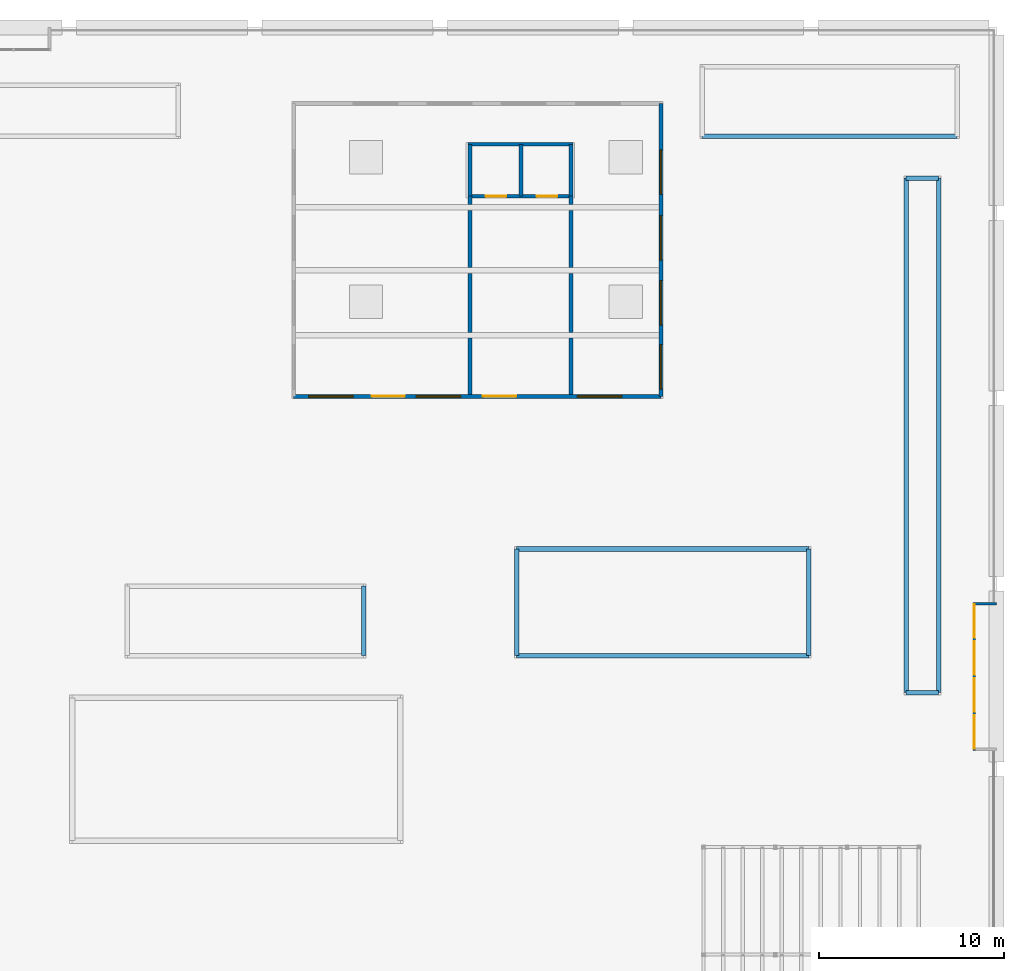
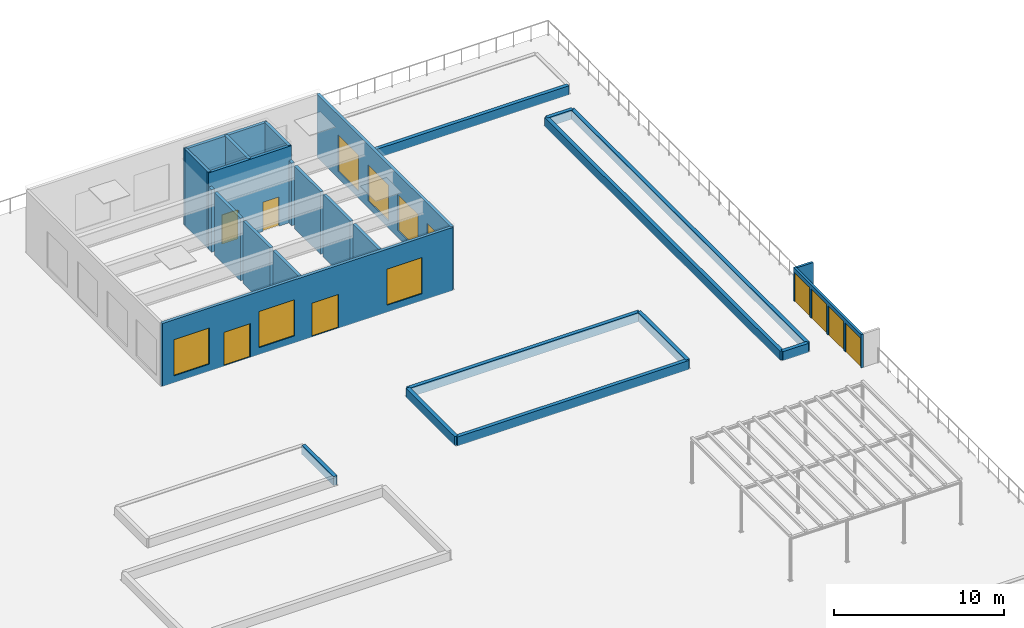
# One storey, part 19 of 28: 27 walls, 8 doors, 7 windows, 15 openings.
"""IFC4 building model written with IfcOpenShell, lengths in metres."""

from ifc_helpers import new_model, si_unit, direction, frame, frame_2d, origin, place, context, subcontext, project, spatial, rectangle, extrude, material, layer, layer_set, type_object, element, fill, save


model = new_model("IFC4")

# Units and contexts
model_context = context("Model", 3, precision=1e-05, world=origin(), true_north=direction((0.0, 1.0)))
body_context = subcontext(model_context, "Body", "Model", "MODEL_VIEW")
ifc_project = project(units=[si_unit("LENGTHUNIT", "METRE"), si_unit("AREAUNIT", "SQUARE_METRE"), si_unit("VOLUMEUNIT", "CUBIC_METRE"), si_unit("PLANEANGLEUNIT", "RADIAN"), si_unit("MASSUNIT", "GRAM", prefix="KILO")], contexts=[model_context])

# Site, building, storey
site_placement = place(None, origin())
site = spatial("IfcSite", under=ifc_project, at=site_placement, CompositionType="ELEMENT")
building_placement = place(site_placement, origin())
building = spatial("IfcBuilding", under=site, at=building_placement, Name="Qaws Garden Tower", CompositionType="ELEMENT")
storey_placement = place(building_placement, frame((0.0, 0.0, 6.0)))
storey = spatial("IfcBuildingStorey", under=building, at=storey_placement, Name="L01", CompositionType="ELEMENT", Elevation=6.0)

# Wall, openings, doors
ifc_material_1 = material(Name="Steel S355 and clear glass", Category="steel")
ifc_layer_1 = layer(ifc_material_1, 0.14990234375)
ifc_layer_set_1 = layer_set([ifc_layer_1], Name="Steel S355 and clear glass")
wall_type_1 = type_object("IfcWallType", Name="Garden gate screen 150", PredefinedType="STANDARD", material=ifc_layer_set_1)
wall_1_placement = place(storey_placement, frame((98.800048828125, 69.0, 0.0), z_axis=(0.0, 0.0, 1.0), x_axis=(0.0, -1.0, 0.0)))
wall_1 = element("IfcWall", 1, at=wall_1_placement, inside=storey, type_object=wall_type_1, Name="Garden gate screen", PredefinedType="STANDARD", context=body_context, shape_type="SweptSolid", body=[
    extrude(rectangle(XDim=8.0, YDim=0.14990234375, at=frame_2d((4.0, 0.0))), origin(), (0.0, 0.0, 1.0), 2.39990234375),
])
opening_1_placement = place(wall_1_placement, frame((0.10009765625, 0.0, 0.0)))
opening_1 = element("IfcOpeningElement", 2, at=opening_1_placement, cuts=wall_1, Name="Opening PD13-05", PredefinedType="OPENING", context=body_context, shape_type="SweptSolid", body=[
    extrude(rectangle(XDim=1.800048828125, YDim=2.10009765625, at=frame_2d((0.89990234375, 1.050048828125))), frame((0.0, 0.0849609375, 0.0), z_axis=(0.0, -1.0, 0.0), x_axis=(1.0, 0.0, 0.0)), (0.0, 0.0, 1.0), 0.169921875),
])
opening_2_placement = place(wall_1_placement, frame((2.10009765625, 0.0, 0.0)))
opening_2 = element("IfcOpeningElement", 3, at=opening_2_placement, cuts=wall_1, Name="Opening PD13-06", PredefinedType="OPENING", context=body_context, shape_type="SweptSolid", body=[
    extrude(rectangle(XDim=1.800048828125, YDim=2.10009765625, at=frame_2d((0.89990234375, 1.050048828125))), frame((0.0, 0.0849609375, 0.0), z_axis=(0.0, -1.0, 0.0), x_axis=(1.0, 0.0, 0.0)), (0.0, 0.0, 1.0), 0.169921875),
])
opening_3_placement = place(wall_1_placement, frame((4.10009765625, 0.0, 0.0)))
opening_3 = element("IfcOpeningElement", 4, at=opening_3_placement, cuts=wall_1, Name="Opening PD13-07", PredefinedType="OPENING", context=body_context, shape_type="SweptSolid", body=[
    extrude(rectangle(XDim=1.800048828125, YDim=2.10009765625, at=frame_2d((0.89990234375, 1.050048828125))), frame((0.0, 0.0849609375, 0.0), z_axis=(0.0, -1.0, 0.0), x_axis=(1.0, 0.0, 0.0)), (0.0, 0.0, 1.0), 0.169921875),
])
opening_4_placement = place(wall_1_placement, frame((6.10009765625, 0.0, 0.0)))
opening_4 = element("IfcOpeningElement", 5, at=opening_4_placement, cuts=wall_1, Name="Opening PD13-08", PredefinedType="OPENING", context=body_context, shape_type="SweptSolid", body=[
    extrude(rectangle(XDim=1.800048828125, YDim=2.10009765625, at=frame_2d((0.89990234375, 1.050048828125))), frame((0.0, 0.0849609375, 0.0), z_axis=(0.0, -1.0, 0.0), x_axis=(1.0, 0.0, 0.0)), (0.0, 0.0, 1.0), 0.169921875),
])
ifc_material_2 = material(Name="Steel S235 framed door leaf", Category="steel")
door_type_1 = type_object("IfcDoorType", Name="Door D13 garden gate 1800", OperationType="DOUBLE_DOOR_SINGLE_SWING", PredefinedType="DOOR", material=ifc_material_2)
door_1_placement = place(opening_1_placement, origin())
door_1 = element("IfcDoor", 6, at=door_1_placement, inside=storey, type_object=door_type_1, Name="Garden gate", OperationType="DOUBLE_DOOR_SINGLE_SWING", OverallHeight=2.10009765625, OverallWidth=1.800048828125, PredefinedType="DOOR", context=body_context, shape_type="SweptSolid", body=[
    extrude(rectangle(XDim=1.800048828125, YDim=2.10009765625, at=frame_2d((0.89990234375, 1.050048828125))), frame((0.0, 0.02490234375, 0.0), z_axis=(0.0, -1.0, 0.0), x_axis=(1.0, 0.0, 0.0)), (0.0, 0.0, 1.0), 0.050048828125),
])
fill(opening_1, door_1)
door_2_placement = place(opening_2_placement, origin())
door_2 = element("IfcDoor", 7, at=door_2_placement, inside=storey, type_object=door_type_1, Name="Garden gate", OperationType="DOUBLE_DOOR_SINGLE_SWING", OverallHeight=2.10009765625, OverallWidth=1.800048828125, PredefinedType="DOOR", context=body_context, shape_type="SweptSolid", body=[
    extrude(rectangle(XDim=1.800048828125, YDim=2.10009765625, at=frame_2d((0.89990234375, 1.050048828125))), frame((0.0, 0.02490234375, 0.0), z_axis=(0.0, -1.0, 0.0), x_axis=(1.0, 0.0, 0.0)), (0.0, 0.0, 1.0), 0.050048828125),
])
fill(opening_2, door_2)
door_3_placement = place(opening_3_placement, origin())
door_3 = element("IfcDoor", 8, at=door_3_placement, inside=storey, type_object=door_type_1, Name="Garden gate", OperationType="DOUBLE_DOOR_SINGLE_SWING", OverallHeight=2.10009765625, OverallWidth=1.800048828125, PredefinedType="DOOR", context=body_context, shape_type="SweptSolid", body=[
    extrude(rectangle(XDim=1.800048828125, YDim=2.10009765625, at=frame_2d((0.89990234375, 1.050048828125))), frame((0.0, 0.02490234375, 0.0), z_axis=(0.0, -1.0, 0.0), x_axis=(1.0, 0.0, 0.0)), (0.0, 0.0, 1.0), 0.050048828125),
])
fill(opening_3, door_3)
door_4_placement = place(opening_4_placement, origin())
door_4 = element("IfcDoor", 9, at=door_4_placement, inside=storey, type_object=door_type_1, Name="Garden gate", OperationType="DOUBLE_DOOR_SINGLE_SWING", OverallHeight=2.10009765625, OverallWidth=1.800048828125, PredefinedType="DOOR", context=body_context, shape_type="SweptSolid", body=[
    extrude(rectangle(XDim=1.800048828125, YDim=2.10009765625, at=frame_2d((0.89990234375, 1.050048828125))), frame((0.0, 0.02490234375, 0.0), z_axis=(0.0, -1.0, 0.0), x_axis=(1.0, 0.0, 0.0)), (0.0, 0.0, 1.0), 0.050048828125),
])
fill(opening_4, door_4)

# Wall
wall_2_placement = place(storey_placement, frame((98.875, 68.925048828125, 0.0), z_axis=(0.0, 0.0, 1.0), x_axis=(1.0, 0.0, 0.0)))
element("IfcWall", 10, at=wall_2_placement, inside=storey, type_object=wall_type_1, Name="Garden gate screen return", PredefinedType="STANDARD", context=body_context, shape_type="SweptSolid", body=[
    extrude(rectangle(XDim=1.125, YDim=0.14990234375, at=frame_2d((0.5625, 0.0))), origin(), (0.0, 0.0, 1.0), 2.39990234375),
])

# Wall, openings, doors
ifc_material_3 = material(Name="Concrete C40", Category="concrete")
ifc_layer_2 = layer(ifc_material_3, 0.199951171875)
ifc_layer_set_2 = layer_set([ifc_layer_2], Name="Concrete C40")
wall_type_2 = type_object("IfcWallType", Name="Lift shaft wall 200", PredefinedType="SOLIDWALL", material=ifc_layer_set_2)
wall_3_placement = place(storey_placement, frame((71.5, 90.89990234375, 0.0), z_axis=(0.0, 0.0, 1.0), x_axis=(1.0, 0.0, 0.0)))
wall_3 = element("IfcWall", 11, at=wall_3_placement, inside=storey, type_object=wall_type_2, Name="Lift shaft south wall", PredefinedType="SOLIDWALL", context=body_context, shape_type="SweptSolid", body=[
    extrude(rectangle(XDim=5.64990234375, YDim=0.199951171875, at=frame_2d((2.824951171875, 0.0))), origin(), (0.0, 0.0, 1.0), 5.5),
])
opening_5_placement = place(wall_3_placement, frame((0.949951171875, 0.0, 0.0)))
opening_5 = element("IfcOpeningElement", 12, at=opening_5_placement, cuts=wall_3, Name="Opening LD-01", PredefinedType="OPENING", context=body_context, shape_type="SweptSolid", body=[
    extrude(rectangle(XDim=1.10009765625, YDim=2.10009765625, at=frame_2d((0.550048828125, 1.050048828125))), frame((0.0, 0.10986328125, 0.0), z_axis=(0.0, -1.0, 0.0), x_axis=(1.0, 0.0, 0.0)), (0.0, 0.0, 1.0), 0.219970703125),
])
opening_6_placement = place(wall_3_placement, frame((3.699951171875, 0.0, 0.0)))
opening_6 = element("IfcOpeningElement", 13, at=opening_6_placement, cuts=wall_3, Name="Opening LD-02", PredefinedType="OPENING", context=body_context, shape_type="SweptSolid", body=[
    extrude(rectangle(XDim=1.10009765625, YDim=2.10009765625, at=frame_2d((0.550048828125, 1.050048828125))), frame((0.0, 0.10986328125, 0.0), z_axis=(0.0, -1.0, 0.0), x_axis=(1.0, 0.0, 0.0)), (0.0, 0.0, 1.0), 0.219970703125),
])
ifc_material_4 = material(Name="Steel S235", Category="steel")
door_type_2 = type_object("IfcDoorType", Name="Landing door 1100x2100", OperationType="DOUBLE_DOOR_SLIDING", PredefinedType="DOOR", material=ifc_material_4)
door_5_placement = place(opening_5_placement, origin())
door_5 = element("IfcDoor", 14, at=door_5_placement, inside=storey, type_object=door_type_2, Name="Lift landing door", OperationType="DOUBLE_DOOR_SLIDING", OverallHeight=2.10009765625, OverallWidth=1.10009765625, PredefinedType="DOOR", context=body_context, shape_type="SweptSolid", body=[
    extrude(rectangle(XDim=1.10009765625, YDim=2.10009765625, at=frame_2d((0.550048828125, 1.050048828125))), frame((0.0, 0.02490234375, 0.0), z_axis=(0.0, -1.0, 0.0), x_axis=(1.0, 0.0, 0.0)), (0.0, 0.0, 1.0), 0.050048828125),
])
fill(opening_5, door_5)
door_6_placement = place(opening_6_placement, origin())
door_6 = element("IfcDoor", 15, at=door_6_placement, inside=storey, type_object=door_type_2, Name="Lift landing door", OperationType="DOUBLE_DOOR_SLIDING", OverallHeight=2.10009765625, OverallWidth=1.10009765625, PredefinedType="DOOR", context=body_context, shape_type="SweptSolid", body=[
    extrude(rectangle(XDim=1.10009765625, YDim=2.10009765625, at=frame_2d((0.550048828125, 1.050048828125))), frame((0.0, 0.02490234375, 0.0), z_axis=(0.0, -1.0, 0.0), x_axis=(1.0, 0.0, 0.0)), (0.0, 0.0, 1.0), 0.050048828125),
])
fill(opening_6, door_6)

# Walls
wall_4_placement = place(storey_placement, frame((71.5, 93.699951171875, 0.0), z_axis=(0.0, 0.0, 1.0), x_axis=(1.0, 0.0, 0.0)))
element("IfcWall", 16, at=wall_4_placement, inside=storey, type_object=wall_type_2, Name="Lift shaft north wall", PredefinedType="SOLIDWALL", context=body_context, shape_type="SweptSolid", body=[
    extrude(rectangle(XDim=5.64990234375, YDim=0.199951171875, at=frame_2d((2.824951171875, 0.0))), origin(), (0.0, 0.0, 1.0), 5.5),
])
for number, where, z_axis, x_axis, name in (
    (17, (71.60009765625, 90.89990234375, 0.0), (0.0, 0.0, 1.0), (0.0, 1.0, 0.0), "Lift shaft west wall"),
    (18, (74.35009765625, 90.89990234375, 0.0), (0.0, 0.0, 1.0), (0.0, 1.0, 0.0), "Lift shaft partition"),
    (19, (77.050048828125, 90.89990234375, 0.0), (0.0, 0.0, 1.0), (0.0, 1.0, 0.0), "Lift shaft east wall"),
):
    element("IfcWall", number, at=place(storey_placement, frame(where, z_axis=z_axis, x_axis=x_axis)), inside=storey, type_object=wall_type_2, Name=name, PredefinedType="SOLIDWALL", context=body_context, shape_type="SweptSolid", body=[
        extrude(rectangle(XDim=2.800048828125, YDim=0.199951171875, at=frame_2d((1.39990234375, 0.0))), origin(), (0.0, 0.0, 1.0), 5.5),
    ])
ifc_material_5 = material(Name="Concrete C40", Category="concrete")
ifc_layer_3 = layer(ifc_material_5, 0.25)
ifc_layer_set_3 = layer_set([ifc_layer_3], Name="Concrete C40")
wall_type_3 = type_object("IfcWallType", Name="PLANTER kerb 250", PredefinedType="STANDARD", material=ifc_layer_set_3)
wall_5_placement = place(storey_placement, frame((84.125, 94.125, -0.0400390625), z_axis=(0.0, 0.0, 1.0), x_axis=(1.0, 0.0, 0.0)))
element("IfcWall", 20, at=wall_5_placement, inside=storey, type_object=wall_type_3, Name="PLANTER 02 kerb", PredefinedType="STANDARD", context=body_context, shape_type="SweptSolid", body=[
    extrude(rectangle(XDim=13.75, YDim=0.25, at=frame_2d((6.875, 0.0))), origin(), (0.0, 0.0, 1.0), 0.650146484375),
])
wall_6_placement = place(storey_placement, frame((95.125, 64.125, -0.0400390625), z_axis=(0.0, 0.0, 1.0), x_axis=(1.0, 0.0, 0.0)))
element("IfcWall", 21, at=wall_6_placement, inside=storey, type_object=wall_type_3, Name="PLANTER 03 kerb", PredefinedType="STANDARD", context=body_context, shape_type="SweptSolid", body=[
    extrude(rectangle(XDim=1.75, YDim=0.25, at=frame_2d((0.875, 0.0))), origin(), (0.0, 0.0, 1.0), 0.650146484375),
])
wall_7_placement = place(storey_placement, frame((96.875, 64.125, -0.0400390625), z_axis=(0.0, 0.0, 1.0), x_axis=(0.0, 1.0, 0.0)))
element("IfcWall", 22, at=wall_7_placement, inside=storey, type_object=wall_type_3, Name="PLANTER 03 kerb", PredefinedType="STANDARD", context=body_context, shape_type="SweptSolid", body=[
    extrude(rectangle(XDim=27.75, YDim=0.25, at=frame_2d((13.875, 0.0))), origin(), (0.0, 0.0, 1.0), 0.650146484375),
])
wall_8_placement = place(storey_placement, frame((96.875, 91.875, -0.0400390625), z_axis=(0.0, 0.0, 1.0), x_axis=(-1.0, 0.0, 0.0)))
element("IfcWall", 23, at=wall_8_placement, inside=storey, type_object=wall_type_3, Name="PLANTER 03 kerb", PredefinedType="STANDARD", context=body_context, shape_type="SweptSolid", body=[
    extrude(rectangle(XDim=1.75, YDim=0.25, at=frame_2d((0.875, 0.0))), origin(), (0.0, 0.0, 1.0), 0.650146484375),
])
wall_9_placement = place(storey_placement, frame((95.125, 91.875, -0.0400390625), z_axis=(0.0, 0.0, 1.0), x_axis=(0.0, -1.0, 0.0)))
element("IfcWall", 24, at=wall_9_placement, inside=storey, type_object=wall_type_3, Name="PLANTER 03 kerb", PredefinedType="STANDARD", context=body_context, shape_type="SweptSolid", body=[
    extrude(rectangle(XDim=27.75, YDim=0.25, at=frame_2d((13.875, 0.0))), origin(), (0.0, 0.0, 1.0), 0.650146484375),
])
wall_10_placement = place(storey_placement, frame((65.875, 66.125, -0.0400390625), z_axis=(0.0, 0.0, 1.0), x_axis=(0.0, 1.0, 0.0)))
element("IfcWall", 25, at=wall_10_placement, inside=storey, type_object=wall_type_3, Name="PLANTER 06 kerb", PredefinedType="STANDARD", context=body_context, shape_type="SweptSolid", body=[
    extrude(rectangle(XDim=3.75, YDim=0.25, at=frame_2d((1.875, 0.0))), origin(), (0.0, 0.0, 1.0), 0.650146484375),
])
wall_11_placement = place(storey_placement, frame((74.125, 66.125, -0.0400390625), z_axis=(0.0, 0.0, 1.0), x_axis=(1.0, 0.0, 0.0)))
element("IfcWall", 26, at=wall_11_placement, inside=storey, type_object=wall_type_3, Name="PLANTER 07 kerb", PredefinedType="STANDARD", context=body_context, shape_type="SweptSolid", body=[
    extrude(rectangle(XDim=15.75, YDim=0.25, at=frame_2d((7.875, 0.0))), origin(), (0.0, 0.0, 1.0), 0.650146484375),
])
wall_12_placement = place(storey_placement, frame((89.875, 66.125, -0.0400390625), z_axis=(0.0, 0.0, 1.0), x_axis=(0.0, 1.0, 0.0)))
element("IfcWall", 27, at=wall_12_placement, inside=storey, type_object=wall_type_3, Name="PLANTER 07 kerb", PredefinedType="STANDARD", context=body_context, shape_type="SweptSolid", body=[
    extrude(rectangle(XDim=5.75, YDim=0.25, at=frame_2d((2.875, 0.0))), origin(), (0.0, 0.0, 1.0), 0.650146484375),
])
wall_13_placement = place(storey_placement, frame((89.875, 71.875, -0.0400390625), z_axis=(0.0, 0.0, 1.0), x_axis=(-1.0, 0.0, 0.0)))
element("IfcWall", 28, at=wall_13_placement, inside=storey, type_object=wall_type_3, Name="PLANTER 07 kerb", PredefinedType="STANDARD", context=body_context, shape_type="SweptSolid", body=[
    extrude(rectangle(XDim=15.75, YDim=0.25, at=frame_2d((7.875, 0.0))), origin(), (0.0, 0.0, 1.0), 0.650146484375),
])
wall_14_placement = place(storey_placement, frame((74.125, 71.875, -0.0400390625), z_axis=(0.0, 0.0, 1.0), x_axis=(0.0, -1.0, 0.0)))
element("IfcWall", 29, at=wall_14_placement, inside=storey, type_object=wall_type_3, Name="PLANTER 07 kerb", PredefinedType="STANDARD", context=body_context, shape_type="SweptSolid", body=[
    extrude(rectangle(XDim=5.75, YDim=0.25, at=frame_2d((2.875, 0.0))), origin(), (0.0, 0.0, 1.0), 0.650146484375),
])

# Wall, openings, doors, windows
ifc_material_6 = material(Name="Blockwork reinforced with steel S355", Category="masonry")
ifc_layer_4 = layer(ifc_material_6, 0.199951171875)
ifc_layer_set_4 = layer_set([ifc_layer_4], Name="Blockwork reinforced with steel S355")
wall_type_4 = type_object("IfcWallType", Name="Pavilion wall 200", PredefinedType="STANDARD", material=ifc_layer_set_4)
wall_15_placement = place(storey_placement, frame((62.10009765625, 80.10009765625, -0.0400390625), z_axis=(0.0, 0.0, 1.0), x_axis=(1.0, 0.0, 0.0)))
wall_15 = element("IfcWall", 30, at=wall_15_placement, inside=storey, type_object=wall_type_4, Name="Garden pavilion wall S", PredefinedType="STANDARD", context=body_context, shape_type="SweptSolid", body=[
    extrude(rectangle(XDim=19.7998046875, YDim=0.199951171875, at=frame_2d((9.89990234375, 0.0))), origin(), (0.0, 0.0, 1.0), 4.5400390625),
])
opening_7_placement = place(wall_15_placement, frame((0.800048828125, 0.0, 0.5)))
opening_7 = element("IfcOpeningElement", 31, at=opening_7_placement, cuts=wall_15, Name="Opening PW-S3", PredefinedType="OPENING", context=body_context, shape_type="SweptSolid", body=[
    extrude(rectangle(XDim=2.39990234375, YDim=2.60009765625, at=frame_2d((1.199951171875, 1.300048828125))), frame((0.0, 0.10986328125, 0.0), z_axis=(0.0, -1.0, 0.0), x_axis=(1.0, 0.0, 0.0)), (0.0, 0.0, 1.0), 0.219970703125),
])
opening_8_placement = place(wall_15_placement, frame((4.199951171875, 0.0, 0.0400390625)))
opening_8 = element("IfcOpeningElement", 32, at=opening_8_placement, cuts=wall_15, Name="Opening PD8-01", PredefinedType="OPENING", context=body_context, shape_type="SweptSolid", body=[
    extrude(rectangle(XDim=1.800048828125, YDim=2.39990234375, at=frame_2d((0.89990234375, 1.199951171875))), frame((0.0, 0.10986328125, 0.0), z_axis=(0.0, -1.0, 0.0), x_axis=(1.0, 0.0, 0.0)), (0.0, 0.0, 1.0), 0.219970703125),
])
opening_9_placement = place(wall_15_placement, frame((6.60009765625, 0.0, 0.5)))
opening_9 = element("IfcOpeningElement", 33, at=opening_9_placement, cuts=wall_15, Name="Opening PW-S3", PredefinedType="OPENING", context=body_context, shape_type="SweptSolid", body=[
    extrude(rectangle(XDim=2.39990234375, YDim=2.60009765625, at=frame_2d((1.199951171875, 1.300048828125))), frame((0.0, 0.10986328125, 0.0), z_axis=(0.0, -1.0, 0.0), x_axis=(1.0, 0.0, 0.0)), (0.0, 0.0, 1.0), 0.219970703125),
])
opening_10_placement = place(wall_15_placement, frame((10.199951171875, 0.0, 0.0400390625)))
opening_10 = element("IfcOpeningElement", 34, at=opening_10_placement, cuts=wall_15, Name="Opening PD8-02", PredefinedType="OPENING", context=body_context, shape_type="SweptSolid", body=[
    extrude(rectangle(XDim=1.800048828125, YDim=2.39990234375, at=frame_2d((0.89990234375, 1.199951171875))), frame((0.0, 0.10986328125, 0.0), z_axis=(0.0, -1.0, 0.0), x_axis=(1.0, 0.0, 0.0)), (0.0, 0.0, 1.0), 0.219970703125),
])
opening_11_placement = place(wall_15_placement, frame((15.300048828125, 0.0, 0.5)))
opening_11 = element("IfcOpeningElement", 35, at=opening_11_placement, cuts=wall_15, Name="Opening PW-S3", PredefinedType="OPENING", context=body_context, shape_type="SweptSolid", body=[
    extrude(rectangle(XDim=2.39990234375, YDim=2.60009765625, at=frame_2d((1.199951171875, 1.300048828125))), frame((0.0, 0.10986328125, 0.0), z_axis=(0.0, -1.0, 0.0), x_axis=(1.0, 0.0, 0.0)), (0.0, 0.0, 1.0), 0.219970703125),
])
ifc_material_7 = material(Name="Steel S235 framed door leaf", Category="steel")
door_type_3 = type_object("IfcDoorType", Name="Door D8 pavilion glazed 1800", OperationType="DOUBLE_DOOR_SINGLE_SWING", PredefinedType="DOOR", material=ifc_material_7)
door_7_placement = place(opening_8_placement, frame((1.800048828125, 0.0, 0.0), z_axis=(0.0, 0.0, 1.0), x_axis=(-1.0, 0.0, 0.0)))
door_7 = element("IfcDoor", 36, at=door_7_placement, inside=storey, type_object=door_type_3, Name="Pavilion entrance door", OperationType="DOUBLE_DOOR_SINGLE_SWING", OverallHeight=2.39990234375, OverallWidth=1.800048828125, PredefinedType="DOOR", context=body_context, shape_type="SweptSolid", body=[
    extrude(rectangle(XDim=1.800048828125, YDim=2.39990234375, at=frame_2d((0.89990234375, 1.199951171875))), frame((0.0, 0.02490234375, 0.0), z_axis=(0.0, -1.0, 0.0), x_axis=(1.0, 0.0, 0.0)), (0.0, 0.0, 1.0), 0.050048828125),
])
fill(opening_8, door_7)
door_8_placement = place(opening_10_placement, frame((1.800048828125, 0.0, 0.0), z_axis=(0.0, 0.0, 1.0), x_axis=(-1.0, 0.0, 0.0)))
door_8 = element("IfcDoor", 37, at=door_8_placement, inside=storey, type_object=door_type_3, Name="Pavilion entrance door", OperationType="DOUBLE_DOOR_SINGLE_SWING", OverallHeight=2.39990234375, OverallWidth=1.800048828125, PredefinedType="DOOR", context=body_context, shape_type="SweptSolid", body=[
    extrude(rectangle(XDim=1.800048828125, YDim=2.39990234375, at=frame_2d((0.89990234375, 1.199951171875))), frame((0.0, 0.02490234375, 0.0), z_axis=(0.0, -1.0, 0.0), x_axis=(1.0, 0.0, 0.0)), (0.0, 0.0, 1.0), 0.050048828125),
])
fill(opening_10, door_8)
ifc_material_8 = material(Name="Aluminium and clear glass", Category="aluminium")
window_type = type_object("IfcWindowType", Name="Pavilion window 2400", PartitioningType="DOUBLE_PANEL_VERTICAL", PredefinedType="WINDOW", material=ifc_material_8)
window_1_placement = place(opening_7_placement, origin())
window_1 = element("IfcWindow", 38, at=window_1_placement, inside=storey, type_object=window_type, Name="Pavilion window", OverallHeight=2.60009765625, OverallWidth=2.39990234375, PartitioningType="SINGLE_PANEL", PredefinedType="WINDOW", context=body_context, shape_type="SweptSolid", body=[
    extrude(rectangle(XDim=2.39990234375, YDim=2.60009765625, at=frame_2d((1.199951171875, 1.300048828125))), frame((0.0, 0.030029296875, 0.0), z_axis=(0.0, -1.0, 0.0), x_axis=(1.0, 0.0, 0.0)), (0.0, 0.0, 1.0), 0.06005859375),
])
fill(opening_7, window_1)
window_2_placement = place(opening_9_placement, origin())
window_2 = element("IfcWindow", 39, at=window_2_placement, inside=storey, type_object=window_type, Name="Pavilion window", OverallHeight=2.60009765625, OverallWidth=2.39990234375, PartitioningType="SINGLE_PANEL", PredefinedType="WINDOW", context=body_context, shape_type="SweptSolid", body=[
    extrude(rectangle(XDim=2.39990234375, YDim=2.60009765625, at=frame_2d((1.199951171875, 1.300048828125))), frame((0.0, 0.030029296875, 0.0), z_axis=(0.0, -1.0, 0.0), x_axis=(1.0, 0.0, 0.0)), (0.0, 0.0, 1.0), 0.06005859375),
])
fill(opening_9, window_2)
window_3_placement = place(opening_11_placement, origin())
window_3 = element("IfcWindow", 40, at=window_3_placement, inside=storey, type_object=window_type, Name="Pavilion window", OverallHeight=2.60009765625, OverallWidth=2.39990234375, PartitioningType="SINGLE_PANEL", PredefinedType="WINDOW", context=body_context, shape_type="SweptSolid", body=[
    extrude(rectangle(XDim=2.39990234375, YDim=2.60009765625, at=frame_2d((1.199951171875, 1.300048828125))), frame((0.0, 0.030029296875, 0.0), z_axis=(0.0, -1.0, 0.0), x_axis=(1.0, 0.0, 0.0)), (0.0, 0.0, 1.0), 0.06005859375),
])
fill(opening_11, window_3)

# Wall, openings, windows
wall_16_placement = place(storey_placement, frame((81.89990234375, 80.10009765625, -0.0400390625), z_axis=(0.0, 0.0, 1.0), x_axis=(0.0, 1.0, 0.0)))
wall_16 = element("IfcWall", 41, at=wall_16_placement, inside=storey, type_object=wall_type_4, Name="Garden pavilion wall E", PredefinedType="STANDARD", context=body_context, shape_type="SweptSolid", body=[
    extrude(rectangle(XDim=15.7998046875, YDim=0.199951171875, at=frame_2d((7.89990234375, 0.0))), origin(), (0.0, 0.0, 1.0), 4.5400390625),
])
opening_12_placement = place(wall_16_placement, frame((0.39990234375, 0.0, 0.5)))
opening_12 = element("IfcOpeningElement", 42, at=opening_12_placement, cuts=wall_16, Name="Opening PW-S3", PredefinedType="OPENING", context=body_context, shape_type="SweptSolid", body=[
    extrude(rectangle(XDim=2.39990234375, YDim=2.60009765625, at=frame_2d((1.199951171875, 1.300048828125))), frame((0.0, 0.10986328125, 0.0), z_axis=(0.0, -1.0, 0.0), x_axis=(1.0, 0.0, 0.0)), (0.0, 0.0, 1.0), 0.219970703125),
])
opening_13_placement = place(wall_16_placement, frame((3.85009765625, 0.0, 0.5)))
opening_13 = element("IfcOpeningElement", 43, at=opening_13_placement, cuts=wall_16, Name="Opening PW-S3", PredefinedType="OPENING", context=body_context, shape_type="SweptSolid", body=[
    extrude(rectangle(XDim=2.39990234375, YDim=2.60009765625, at=frame_2d((1.199951171875, 1.300048828125))), frame((0.0, 0.10986328125, 0.0), z_axis=(0.0, -1.0, 0.0), x_axis=(1.0, 0.0, 0.0)), (0.0, 0.0, 1.0), 0.219970703125),
])
opening_14_placement = place(wall_16_placement, frame((7.35009765625, 0.0, 0.5)))
opening_14 = element("IfcOpeningElement", 44, at=opening_14_placement, cuts=wall_16, Name="Opening PW-S3", PredefinedType="OPENING", context=body_context, shape_type="SweptSolid", body=[
    extrude(rectangle(XDim=2.39990234375, YDim=2.60009765625, at=frame_2d((1.199951171875, 1.300048828125))), frame((0.0, 0.10986328125, 0.0), z_axis=(0.0, -1.0, 0.0), x_axis=(1.0, 0.0, 0.0)), (0.0, 0.0, 1.0), 0.219970703125),
])
opening_15_placement = place(wall_16_placement, frame((10.89990234375, 0.0, 0.5)))
opening_15 = element("IfcOpeningElement", 45, at=opening_15_placement, cuts=wall_16, Name="Opening PW-S3", PredefinedType="OPENING", context=body_context, shape_type="SweptSolid", body=[
    extrude(rectangle(XDim=2.39990234375, YDim=2.60009765625, at=frame_2d((1.199951171875, 1.300048828125))), frame((0.0, 0.10986328125, 0.0), z_axis=(0.0, -1.0, 0.0), x_axis=(1.0, 0.0, 0.0)), (0.0, 0.0, 1.0), 0.219970703125),
])
window_4_placement = place(opening_12_placement, origin())
window_4 = element("IfcWindow", 46, at=window_4_placement, inside=storey, type_object=window_type, Name="Pavilion window", OverallHeight=2.60009765625, OverallWidth=2.39990234375, PartitioningType="SINGLE_PANEL", PredefinedType="WINDOW", context=body_context, shape_type="SweptSolid", body=[
    extrude(rectangle(XDim=2.39990234375, YDim=2.60009765625, at=frame_2d((1.199951171875, 1.300048828125))), frame((0.0, 0.030029296875, 0.0), z_axis=(0.0, -1.0, 0.0), x_axis=(1.0, 0.0, 0.0)), (0.0, 0.0, 1.0), 0.06005859375),
])
fill(opening_12, window_4)
window_5_placement = place(opening_13_placement, origin())
window_5 = element("IfcWindow", 47, at=window_5_placement, inside=storey, type_object=window_type, Name="Pavilion window", OverallHeight=2.60009765625, OverallWidth=2.39990234375, PartitioningType="SINGLE_PANEL", PredefinedType="WINDOW", context=body_context, shape_type="SweptSolid", body=[
    extrude(rectangle(XDim=2.39990234375, YDim=2.60009765625, at=frame_2d((1.199951171875, 1.300048828125))), frame((0.0, 0.030029296875, 0.0), z_axis=(0.0, -1.0, 0.0), x_axis=(1.0, 0.0, 0.0)), (0.0, 0.0, 1.0), 0.06005859375),
])
fill(opening_13, window_5)
window_6_placement = place(opening_14_placement, origin())
window_6 = element("IfcWindow", 48, at=window_6_placement, inside=storey, type_object=window_type, Name="Pavilion window", OverallHeight=2.60009765625, OverallWidth=2.39990234375, PartitioningType="SINGLE_PANEL", PredefinedType="WINDOW", context=body_context, shape_type="SweptSolid", body=[
    extrude(rectangle(XDim=2.39990234375, YDim=2.60009765625, at=frame_2d((1.199951171875, 1.300048828125))), frame((0.0, 0.030029296875, 0.0), z_axis=(0.0, -1.0, 0.0), x_axis=(1.0, 0.0, 0.0)), (0.0, 0.0, 1.0), 0.06005859375),
])
fill(opening_14, window_6)
window_7_placement = place(opening_15_placement, origin())
window_7 = element("IfcWindow", 49, at=window_7_placement, inside=storey, type_object=window_type, Name="Pavilion window", OverallHeight=2.60009765625, OverallWidth=2.39990234375, PartitioningType="SINGLE_PANEL", PredefinedType="WINDOW", context=body_context, shape_type="SweptSolid", body=[
    extrude(rectangle(XDim=2.39990234375, YDim=2.60009765625, at=frame_2d((1.199951171875, 1.300048828125))), frame((0.0, 0.030029296875, 0.0), z_axis=(0.0, -1.0, 0.0), x_axis=(1.0, 0.0, 0.0)), (0.0, 0.0, 1.0), 0.06005859375),
])
fill(opening_15, window_7)

# Walls
ifc_material_9 = material(Name="Blockwork", Category="masonry")
ifc_layer_5 = layer(ifc_material_9, 0.199951171875)
ifc_layer_set_5 = layer_set([ifc_layer_5], Name="Blockwork")
wall_type_5 = type_object("IfcWallType", Name="Plant room wall 200", PredefinedType="PARTITIONING", material=ifc_layer_set_5)
wall_17_placement = place(storey_placement, frame((71.60009765625, 80.199951171875, 0.0), z_axis=(0.0, 0.0, 1.0), x_axis=(0.0, 1.0, 0.0)))
element("IfcWall", 50, at=wall_17_placement, inside=storey, type_object=wall_type_5, Name="Lift lobby west wall", PredefinedType="PARTITIONING", context=body_context, shape_type="SweptSolid", body=[
    extrude(rectangle(XDim=3.0400390625, YDim=0.199951171875, at=frame_2d((1.52001953125, 0.0))), origin(), (0.0, 0.0, 1.0), 4.5),
])
wall_18_placement = place(storey_placement, frame((71.60009765625, 83.56005859375, 0.0), z_axis=(0.0, 0.0, 1.0), x_axis=(0.0, 1.0, 0.0)))
element("IfcWall", 51, at=wall_18_placement, inside=storey, type_object=wall_type_5, Name="Lift lobby west wall", PredefinedType="PARTITIONING", context=body_context, shape_type="SweptSolid", body=[
    extrude(rectangle(XDim=3.179931640625, YDim=0.199951171875, at=frame_2d((1.58984375, 0.0))), origin(), (0.0, 0.0, 1.0), 4.5),
])
wall_19_placement = place(storey_placement, frame((71.60009765625, 87.06005859375, 0.0), z_axis=(0.0, 0.0, 1.0), x_axis=(0.0, 1.0, 0.0)))
element("IfcWall", 52, at=wall_19_placement, inside=storey, type_object=wall_type_5, Name="Lift lobby west wall", PredefinedType="PARTITIONING", context=body_context, shape_type="SweptSolid", body=[
    extrude(rectangle(XDim=3.079833984375, YDim=0.199951171875, at=frame_2d((1.5400390625, 0.0))), origin(), (0.0, 0.0, 1.0), 4.5),
])
wall_20_placement = place(storey_placement, frame((71.60009765625, 90.4599609375, 0.0), z_axis=(0.0, 0.0, 1.0), x_axis=(0.0, 1.0, 0.0)))
element("IfcWall", 53, at=wall_20_placement, inside=storey, type_object=wall_type_5, Name="Lift lobby west wall", PredefinedType="PARTITIONING", context=body_context, shape_type="SweptSolid", body=[
    extrude(rectangle(XDim=0.43994140625, YDim=0.199951171875, at=frame_2d((0.219970703125, 0.0))), origin(), (0.0, 0.0, 1.0), 4.5),
])
wall_21_placement = place(storey_placement, frame((77.050048828125, 80.199951171875, 0.0), z_axis=(0.0, 0.0, 1.0), x_axis=(0.0, 1.0, 0.0)))
element("IfcWall", 54, at=wall_21_placement, inside=storey, type_object=wall_type_5, Name="Lift lobby east wall", PredefinedType="PARTITIONING", context=body_context, shape_type="SweptSolid", body=[
    extrude(rectangle(XDim=3.0400390625, YDim=0.199951171875, at=frame_2d((1.52001953125, 0.0))), origin(), (0.0, 0.0, 1.0), 4.5),
])
wall_22_placement = place(storey_placement, frame((77.050048828125, 83.56005859375, 0.0), z_axis=(0.0, 0.0, 1.0), x_axis=(0.0, 1.0, 0.0)))
element("IfcWall", 55, at=wall_22_placement, inside=storey, type_object=wall_type_5, Name="Lift lobby east wall", PredefinedType="PARTITIONING", context=body_context, shape_type="SweptSolid", body=[
    extrude(rectangle(XDim=3.179931640625, YDim=0.199951171875, at=frame_2d((1.58984375, 0.0))), origin(), (0.0, 0.0, 1.0), 4.5),
])
wall_23_placement = place(storey_placement, frame((77.050048828125, 87.06005859375, 0.0), z_axis=(0.0, 0.0, 1.0), x_axis=(0.0, 1.0, 0.0)))
element("IfcWall", 56, at=wall_23_placement, inside=storey, type_object=wall_type_5, Name="Lift lobby east wall", PredefinedType="PARTITIONING", context=body_context, shape_type="SweptSolid", body=[
    extrude(rectangle(XDim=3.079833984375, YDim=0.199951171875, at=frame_2d((1.5400390625, 0.0))), origin(), (0.0, 0.0, 1.0), 4.5),
])
wall_24_placement = place(storey_placement, frame((77.050048828125, 90.4599609375, 0.0), z_axis=(0.0, 0.0, 1.0), x_axis=(0.0, 1.0, 0.0)))
element("IfcWall", 57, at=wall_24_placement, inside=storey, type_object=wall_type_5, Name="Lift lobby east wall", PredefinedType="PARTITIONING", context=body_context, shape_type="SweptSolid", body=[
    extrude(rectangle(XDim=0.43994140625, YDim=0.199951171875, at=frame_2d((0.219970703125, 0.0))), origin(), (0.0, 0.0, 1.0), 4.5),
])

save(model, "model.ifc")
